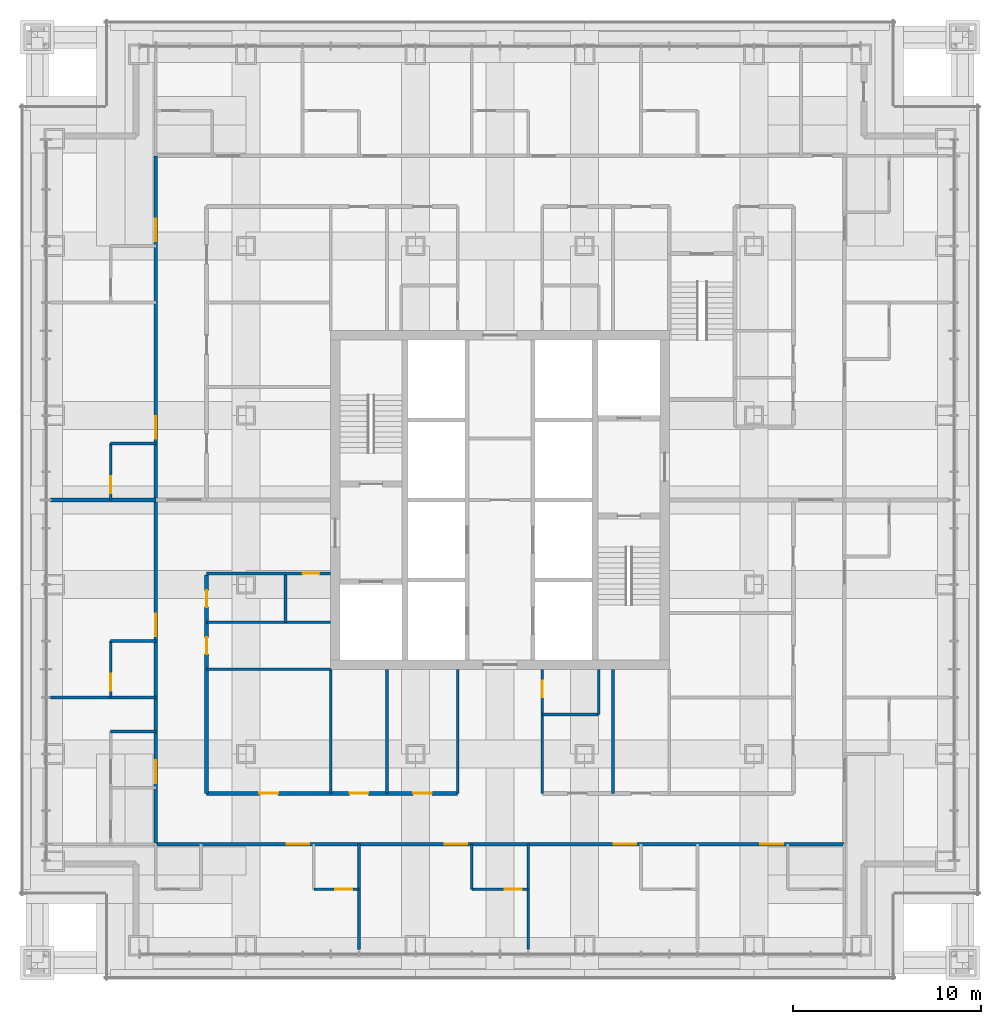
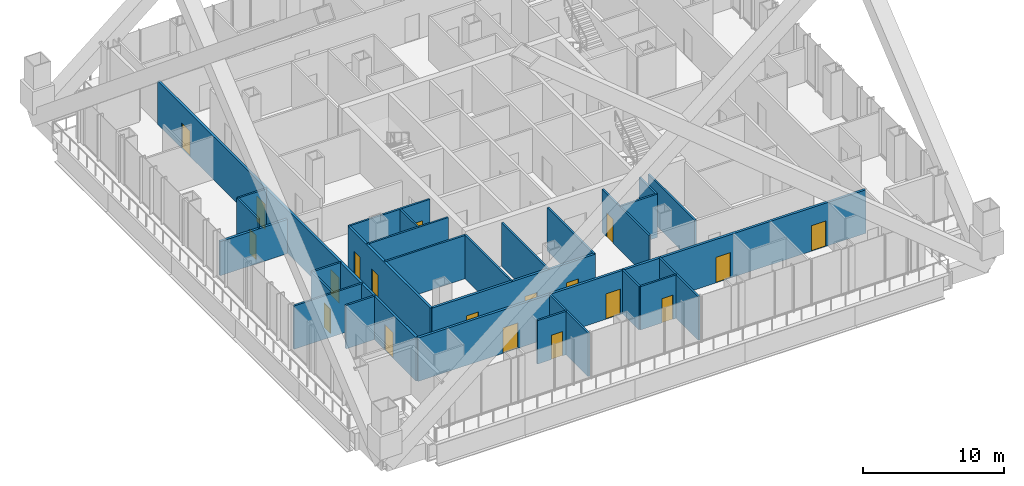
# One storey, part 15 of 20: 27 walls, 19 doors, 19 openings.
"""IFC4 building model written with IfcOpenShell, lengths in metres."""

from ifc_helpers import new_model, si_unit, direction, frame, frame_2d, origin, place, context, subcontext, project, spatial, rectangle, extrude, material, layer, layer_set, type_object, element, fill, save


model = new_model("IFC4")

# Units and contexts
model_context = context("Model", 3, precision=1e-05, world=origin(), true_north=direction((0.0, 1.0)))
body_context = subcontext(model_context, "Body", "Model", "MODEL_VIEW")
ifc_project = project(units=[si_unit("LENGTHUNIT", "METRE"), si_unit("AREAUNIT", "SQUARE_METRE"), si_unit("VOLUMEUNIT", "CUBIC_METRE"), si_unit("PLANEANGLEUNIT", "RADIAN"), si_unit("MASSUNIT", "GRAM", prefix="KILO")], contexts=[model_context])

# Site, building, storey
site_placement = place(None, origin())
site = spatial("IfcSite", under=ifc_project, at=site_placement, CompositionType="ELEMENT")
building_placement = place(site_placement, origin())
building = spatial("IfcBuilding", under=site, at=building_placement, Name="Malebo Sky Hospital", CompositionType="ELEMENT")
storey_placement = place(building_placement, frame((0.0, 0.0, 100.0)))
storey = spatial("IfcBuildingStorey", under=building, at=storey_placement, Name="L23", CompositionType="ELEMENT", Elevation=100.0)

# Wall, openings, doors
ifc_material_1 = material(Name="Gypsum board on steel studs", Category="steel")
ifc_layer_1 = layer(ifc_material_1, 0.199951171875)
ifc_layer_set_1 = layer_set([ifc_layer_1], Name="CORRIDOR WALL 200")
wall_type_1 = type_object("IfcWallType", Name="CORRIDOR WALL 200", PredefinedType="PARTITIONING", material=ifc_layer_set_1)
wall_1_placement = place(storey_placement, frame((41.699951171875, 43.699951171875, 0.0), z_axis=(0.0, 0.0, 1.0), x_axis=(0.0, 1.0, 0.0)))
wall_1 = element("IfcWall", 1, at=wall_1_placement, inside=storey, type_object=wall_type_1, Name="Corridor Wall 200 WCO", PredefinedType="PARTITIONING", context=body_context, shape_type="SweptSolid", body=[
    extrude(rectangle(XDim=36.60009765625, YDim=0.199951171875, at=frame_2d((18.300048828125, 0.0))), origin(), (0.0, 0.0, 1.0), 3.75),
])
opening_1_placement = place(wall_1_placement, frame((3.25, 0.0, 0.0)))
opening_1 = element("IfcOpeningElement", 2, at=opening_1_placement, cuts=wall_1, Name="Opening D18", PredefinedType="OPENING", context=body_context, shape_type="SweptSolid", body=[
    extrude(rectangle(XDim=1.199951171875, YDim=2.199951171875, at=frame_2d((0.60009765625, 1.10009765625))), frame((0.0, 0.10986328125, 0.0), z_axis=(0.0, -1.0, 0.0), x_axis=(1.0, 0.0, 0.0)), (0.0, 0.0, 1.0), 0.219970703125),
])
opening_2_placement = place(wall_1_placement, frame((11.050048828125, 0.0, 0.0)))
opening_2 = element("IfcOpeningElement", 3, at=opening_2_placement, cuts=wall_1, Name="Opening D01", PredefinedType="OPENING", context=body_context, shape_type="SweptSolid", body=[
    extrude(rectangle(XDim=1.199951171875, YDim=2.199951171875, at=frame_2d((0.60009765625, 1.10009765625))), frame((0.0, 0.10986328125, 0.0), z_axis=(0.0, -1.0, 0.0), x_axis=(1.0, 0.0, 0.0)), (0.0, 0.0, 1.0), 0.219970703125),
])
opening_3_placement = place(wall_1_placement, frame((21.550048828125, 0.0, 0.0)))
opening_3 = element("IfcOpeningElement", 4, at=opening_3_placement, cuts=wall_1, Name="Opening D01", PredefinedType="OPENING", context=body_context, shape_type="SweptSolid", body=[
    extrude(rectangle(XDim=1.199951171875, YDim=2.199951171875, at=frame_2d((0.60009765625, 1.10009765625))), frame((0.0, 0.10986328125, 0.0), z_axis=(0.0, -1.0, 0.0), x_axis=(1.0, 0.0, 0.0)), (0.0, 0.0, 1.0), 0.219970703125),
])
opening_4_placement = place(wall_1_placement, frame((32.050048828125, 0.0, 0.0)))
opening_4 = element("IfcOpeningElement", 5, at=opening_4_placement, cuts=wall_1, Name="Opening D01", PredefinedType="OPENING", context=body_context, shape_type="SweptSolid", body=[
    extrude(rectangle(XDim=1.199951171875, YDim=2.199951171875, at=frame_2d((0.60009765625, 1.10009765625))), frame((0.0, 0.10986328125, 0.0), z_axis=(0.0, -1.0, 0.0), x_axis=(1.0, 0.0, 0.0)), (0.0, 0.0, 1.0), 0.219970703125),
])
ifc_material_2 = material(Name="Hardwood-faced door leaf in steel frame", Category="steel")
door_type_1 = type_object("IfcDoorType", Name="ANTEROOM DOOR 1200", OperationType="SINGLE_SWING_LEFT", PredefinedType="DOOR", material=ifc_material_2)
door_1_placement = place(opening_1_placement, origin())
door_1 = element("IfcDoor", 6, at=door_1_placement, inside=storey, type_object=door_type_1, Name="Anteroom door", OperationType="SINGLE_SWING_LEFT", OverallHeight=2.199951171875, OverallWidth=1.199951171875, PredefinedType="DOOR", context=body_context, shape_type="SweptSolid", body=[
    extrude(rectangle(XDim=1.199951171875, YDim=2.199951171875, at=frame_2d((0.60009765625, 1.10009765625))), frame((0.0, 0.02490234375, 0.0), z_axis=(0.0, -1.0, 0.0), x_axis=(1.0, 0.0, 0.0)), (0.0, 0.0, 1.0), 0.050048828125),
])
fill(opening_1, door_1)
door_type_2 = type_object("IfcDoorType", Name="BED DOOR 1200", OperationType="SINGLE_SWING_LEFT", PredefinedType="DOOR", material=ifc_material_2)
door_2_placement = place(opening_2_placement, origin())
door_2 = element("IfcDoor", 7, at=door_2_placement, inside=storey, type_object=door_type_2, Name="Observation bay door", OperationType="SINGLE_SWING_LEFT", OverallHeight=2.199951171875, OverallWidth=1.199951171875, PredefinedType="DOOR", context=body_context, shape_type="SweptSolid", body=[
    extrude(rectangle(XDim=1.199951171875, YDim=2.199951171875, at=frame_2d((0.60009765625, 1.10009765625))), frame((0.0, 0.02490234375, 0.0), z_axis=(0.0, -1.0, 0.0), x_axis=(1.0, 0.0, 0.0)), (0.0, 0.0, 1.0), 0.050048828125),
])
fill(opening_2, door_2)
door_3_placement = place(opening_3_placement, origin())
door_3 = element("IfcDoor", 8, at=door_3_placement, inside=storey, type_object=door_type_2, Name="Coronary care room door", OperationType="SINGLE_SWING_LEFT", OverallHeight=2.199951171875, OverallWidth=1.199951171875, PredefinedType="DOOR", context=body_context, shape_type="SweptSolid", body=[
    extrude(rectangle(XDim=1.199951171875, YDim=2.199951171875, at=frame_2d((0.60009765625, 1.10009765625))), frame((0.0, 0.02490234375, 0.0), z_axis=(0.0, -1.0, 0.0), x_axis=(1.0, 0.0, 0.0)), (0.0, 0.0, 1.0), 0.050048828125),
])
fill(opening_3, door_3)
door_4_placement = place(opening_4_placement, origin())
door_4 = element("IfcDoor", 9, at=door_4_placement, inside=storey, type_object=door_type_2, Name="Two-bed room door", OperationType="SINGLE_SWING_LEFT", OverallHeight=2.199951171875, OverallWidth=1.199951171875, PredefinedType="DOOR", context=body_context, shape_type="SweptSolid", body=[
    extrude(rectangle(XDim=1.199951171875, YDim=2.199951171875, at=frame_2d((0.60009765625, 1.10009765625))), frame((0.0, 0.02490234375, 0.0), z_axis=(0.0, -1.0, 0.0), x_axis=(1.0, 0.0, 0.0)), (0.0, 0.0, 1.0), 0.050048828125),
])
fill(opening_4, door_4)

wall_2_placement = place(storey_placement, frame((44.39990234375, 46.39990234375, 0.0), z_axis=(0.0, 0.0, 1.0), x_axis=(0.0, 1.0, 0.0)))
wall_2 = element("IfcWall", 10, at=wall_2_placement, inside=storey, type_object=wall_type_1, Name="Corridor Wall 200 WCI1", PredefinedType="PARTITIONING", context=body_context, shape_type="SweptSolid", body=[
    extrude(rectangle(XDim=11.60009765625, YDim=0.199951171875, at=frame_2d((5.800048828125, 0.0))), origin(), (0.0, 0.0, 1.0), 3.75),
])
opening_5_placement = place(wall_2_placement, frame((7.39990234375, 0.0, 0.0)))
opening_5 = element("IfcOpeningElement", 11, at=opening_5_placement, cuts=wall_2, Name="Opening D04", PredefinedType="OPENING", context=body_context, shape_type="SweptSolid", body=[
    extrude(rectangle(XDim=0.89990234375, YDim=2.10009765625, at=frame_2d((0.449951171875, 1.050048828125))), frame((0.0, 0.10986328125, 0.0), z_axis=(0.0, -1.0, 0.0), x_axis=(1.0, 0.0, 0.0)), (0.0, 0.0, 1.0), 0.219970703125),
])
opening_6_placement = place(wall_2_placement, frame((9.89990234375, 0.0, 0.0)))
opening_6 = element("IfcOpeningElement", 12, at=opening_6_placement, cuts=wall_2, Name="Opening D04", PredefinedType="OPENING", context=body_context, shape_type="SweptSolid", body=[
    extrude(rectangle(XDim=0.89990234375, YDim=2.10009765625, at=frame_2d((0.449951171875, 1.050048828125))), frame((0.0, 0.10986328125, 0.0), z_axis=(0.0, -1.0, 0.0), x_axis=(1.0, 0.0, 0.0)), (0.0, 0.0, 1.0), 0.219970703125),
])
door_type_3 = type_object("IfcDoorType", Name="ROOM DOOR 900", OperationType="SINGLE_SWING_LEFT", PredefinedType="DOOR", material=ifc_material_2)
door_5_placement = place(opening_5_placement, origin())
door_5 = element("IfcDoor", 13, at=door_5_placement, inside=storey, type_object=door_type_3, Name="Ward office door", OperationType="SINGLE_SWING_LEFT", OverallHeight=2.10009765625, OverallWidth=0.89990234375, PredefinedType="DOOR", context=body_context, shape_type="SweptSolid", body=[
    extrude(rectangle(XDim=0.89990234375, YDim=2.10009765625, at=frame_2d((0.449951171875, 1.050048828125))), frame((0.0, 0.02490234375, 0.0), z_axis=(0.0, -1.0, 0.0), x_axis=(1.0, 0.0, 0.0)), (0.0, 0.0, 1.0), 0.050048828125),
])
fill(opening_5, door_5)
door_6_placement = place(opening_6_placement, origin())
door_6 = element("IfcDoor", 14, at=door_6_placement, inside=storey, type_object=door_type_3, Name="Linen store door", OperationType="SINGLE_SWING_LEFT", OverallHeight=2.10009765625, OverallWidth=0.89990234375, PredefinedType="DOOR", context=body_context, shape_type="SweptSolid", body=[
    extrude(rectangle(XDim=0.89990234375, YDim=2.10009765625, at=frame_2d((0.449951171875, 1.050048828125))), frame((0.0, 0.02490234375, 0.0), z_axis=(0.0, -1.0, 0.0), x_axis=(1.0, 0.0, 0.0)), (0.0, 0.0, 1.0), 0.050048828125),
])
fill(opening_6, door_6)

wall_3_placement = place(storey_placement, frame((78.300048828125, 43.699951171875, 0.0), z_axis=(0.0, 0.0, 1.0), x_axis=(-1.0, 0.0, 0.0)))
wall_3 = element("IfcWall", 15, at=wall_3_placement, inside=storey, type_object=wall_type_1, Name="Corridor Wall 200 SCO", PredefinedType="PARTITIONING", context=body_context, shape_type="SweptSolid", body=[
    extrude(rectangle(XDim=36.60009765625, YDim=0.199951171875, at=frame_2d((18.300048828125, 0.0))), origin(), (0.0, 0.0, 1.0), 3.75),
])
opening_7_placement = place(wall_3_placement, frame((3.25, 0.0, 0.0)))
opening_7 = element("IfcOpeningElement", 16, at=opening_7_placement, cuts=wall_3, Name="Opening D01", PredefinedType="OPENING", context=body_context, shape_type="SweptSolid", body=[
    extrude(rectangle(XDim=1.199951171875, YDim=2.199951171875, at=frame_2d((0.60009765625, 1.10009765625))), frame((0.0, 0.10986328125, 0.0), z_axis=(0.0, -1.0, 0.0), x_axis=(1.0, 0.0, 0.0)), (0.0, 0.0, 1.0), 0.219970703125),
])
opening_8_placement = place(wall_3_placement, frame((11.050048828125, 0.0, 0.0)))
opening_8 = element("IfcOpeningElement", 17, at=opening_8_placement, cuts=wall_3, Name="Opening D01", PredefinedType="OPENING", context=body_context, shape_type="SweptSolid", body=[
    extrude(rectangle(XDim=1.199951171875, YDim=2.199951171875, at=frame_2d((0.60009765625, 1.10009765625))), frame((0.0, 0.10986328125, 0.0), z_axis=(0.0, -1.0, 0.0), x_axis=(1.0, 0.0, 0.0)), (0.0, 0.0, 1.0), 0.219970703125),
])
opening_9_placement = place(wall_3_placement, frame((20.050048828125, 0.0, 0.0)))
opening_9 = element("IfcOpeningElement", 18, at=opening_9_placement, cuts=wall_3, Name="Opening D01", PredefinedType="OPENING", context=body_context, shape_type="SweptSolid", body=[
    extrude(rectangle(XDim=1.199951171875, YDim=2.199951171875, at=frame_2d((0.60009765625, 1.10009765625))), frame((0.0, 0.10986328125, 0.0), z_axis=(0.0, -1.0, 0.0), x_axis=(1.0, 0.0, 0.0)), (0.0, 0.0, 1.0), 0.219970703125),
])
opening_10_placement = place(wall_3_placement, frame((28.449951171875, 0.0, 0.0)))
opening_10 = element("IfcOpeningElement", 19, at=opening_10_placement, cuts=wall_3, Name="Opening D01", PredefinedType="OPENING", context=body_context, shape_type="SweptSolid", body=[
    extrude(rectangle(XDim=1.199951171875, YDim=2.199951171875, at=frame_2d((0.60009765625, 1.10009765625))), frame((0.0, 0.10986328125, 0.0), z_axis=(0.0, -1.0, 0.0), x_axis=(1.0, 0.0, 0.0)), (0.0, 0.0, 1.0), 0.219970703125),
])
door_7_placement = place(opening_7_placement, origin())
door_7 = element("IfcDoor", 20, at=door_7_placement, inside=storey, type_object=door_type_2, Name="Coronary care room door", OperationType="SINGLE_SWING_LEFT", OverallHeight=2.199951171875, OverallWidth=1.199951171875, PredefinedType="DOOR", context=body_context, shape_type="SweptSolid", body=[
    extrude(rectangle(XDim=1.199951171875, YDim=2.199951171875, at=frame_2d((0.60009765625, 1.10009765625))), frame((0.0, 0.02490234375, 0.0), z_axis=(0.0, -1.0, 0.0), x_axis=(1.0, 0.0, 0.0)), (0.0, 0.0, 1.0), 0.050048828125),
])
fill(opening_7, door_7)
door_8_placement = place(opening_8_placement, origin())
door_8 = element("IfcDoor", 21, at=door_8_placement, inside=storey, type_object=door_type_2, Name="Two-bed room door", OperationType="SINGLE_SWING_LEFT", OverallHeight=2.199951171875, OverallWidth=1.199951171875, PredefinedType="DOOR", context=body_context, shape_type="SweptSolid", body=[
    extrude(rectangle(XDim=1.199951171875, YDim=2.199951171875, at=frame_2d((0.60009765625, 1.10009765625))), frame((0.0, 0.02490234375, 0.0), z_axis=(0.0, -1.0, 0.0), x_axis=(1.0, 0.0, 0.0)), (0.0, 0.0, 1.0), 0.050048828125),
])
fill(opening_8, door_8)
door_9_placement = place(opening_9_placement, origin())
door_9 = element("IfcDoor", 22, at=door_9_placement, inside=storey, type_object=door_type_2, Name="Coronary care room door", OperationType="SINGLE_SWING_LEFT", OverallHeight=2.199951171875, OverallWidth=1.199951171875, PredefinedType="DOOR", context=body_context, shape_type="SweptSolid", body=[
    extrude(rectangle(XDim=1.199951171875, YDim=2.199951171875, at=frame_2d((0.60009765625, 1.10009765625))), frame((0.0, 0.02490234375, 0.0), z_axis=(0.0, -1.0, 0.0), x_axis=(1.0, 0.0, 0.0)), (0.0, 0.0, 1.0), 0.050048828125),
])
fill(opening_9, door_9)
door_10_placement = place(opening_10_placement, origin())
door_10 = element("IfcDoor", 23, at=door_10_placement, inside=storey, type_object=door_type_2, Name="Four-bed bay door", OperationType="SINGLE_SWING_LEFT", OverallHeight=2.199951171875, OverallWidth=1.199951171875, PredefinedType="DOOR", context=body_context, shape_type="SweptSolid", body=[
    extrude(rectangle(XDim=1.199951171875, YDim=2.199951171875, at=frame_2d((0.60009765625, 1.10009765625))), frame((0.0, 0.02490234375, 0.0), z_axis=(0.0, -1.0, 0.0), x_axis=(1.0, 0.0, 0.0)), (0.0, 0.0, 1.0), 0.050048828125),
])
fill(opening_10, door_10)

wall_4_placement = place(storey_placement, frame((57.75, 46.39990234375, 0.0), z_axis=(0.0, 0.0, 1.0), x_axis=(-1.0, 0.0, 0.0)))
wall_4 = element("IfcWall", 24, at=wall_4_placement, inside=storey, type_object=wall_type_1, Name="Corridor Wall 200 SCI2", PredefinedType="PARTITIONING", context=body_context, shape_type="SweptSolid", body=[
    extrude(rectangle(XDim=13.35009765625, YDim=0.199951171875, at=frame_2d((6.675048828125, 0.0))), origin(), (0.0, 0.0, 1.0), 3.75),
])
opening_11_placement = place(wall_4_placement, frame((1.375, 0.0, 0.0)))
opening_11 = element("IfcOpeningElement", 25, at=opening_11_placement, cuts=wall_4, Name="Opening D03", PredefinedType="OPENING", context=body_context, shape_type="SweptSolid", body=[
    extrude(rectangle(XDim=1.0, YDim=2.10009765625, at=frame_2d((0.5, 1.050048828125))), frame((0.0, 0.10986328125, 0.0), z_axis=(0.0, -1.0, 0.0), x_axis=(1.0, 0.0, 0.0)), (0.0, 0.0, 1.0), 0.219970703125),
])
opening_12_placement = place(wall_4_placement, frame((4.75, 0.0, 0.0)))
opening_12 = element("IfcOpeningElement", 26, at=opening_12_placement, cuts=wall_4, Name="Opening D03", PredefinedType="OPENING", context=body_context, shape_type="SweptSolid", body=[
    extrude(rectangle(XDim=1.0, YDim=2.10009765625, at=frame_2d((0.5, 1.050048828125))), frame((0.0, 0.10986328125, 0.0), z_axis=(0.0, -1.0, 0.0), x_axis=(1.0, 0.0, 0.0)), (0.0, 0.0, 1.0), 0.219970703125),
])
opening_13_placement = place(wall_4_placement, frame((9.550048828125, 0.0, 0.0)))
opening_13 = element("IfcOpeningElement", 27, at=opening_13_placement, cuts=wall_4, Name="Opening D03", PredefinedType="OPENING", context=body_context, shape_type="SweptSolid", body=[
    extrude(rectangle(XDim=1.0, YDim=2.10009765625, at=frame_2d((0.5, 1.050048828125))), frame((0.0, 0.10986328125, 0.0), z_axis=(0.0, -1.0, 0.0), x_axis=(1.0, 0.0, 0.0)), (0.0, 0.0, 1.0), 0.219970703125),
])
door_type_4 = type_object("IfcDoorType", Name="ROOM DOOR 1000", OperationType="SINGLE_SWING_LEFT", PredefinedType="DOOR", material=ifc_material_2)
door_11_placement = place(opening_11_placement, origin())
door_11 = element("IfcDoor", 28, at=door_11_placement, inside=storey, type_object=door_type_4, Name="Ward pantry door", OperationType="SINGLE_SWING_LEFT", OverallHeight=2.10009765625, OverallWidth=1.0, PredefinedType="DOOR", context=body_context, shape_type="SweptSolid", body=[
    extrude(rectangle(XDim=1.0, YDim=2.10009765625, at=frame_2d((0.5, 1.050048828125))), frame((0.0, 0.02490234375, 0.0), z_axis=(0.0, -1.0, 0.0), x_axis=(1.0, 0.0, 0.0)), (0.0, 0.0, 1.0), 0.050048828125),
])
fill(opening_11, door_11)
door_12_placement = place(opening_12_placement, origin())
door_12 = element("IfcDoor", 29, at=door_12_placement, inside=storey, type_object=door_type_4, Name="Equipment cleaning room door", OperationType="SINGLE_SWING_LEFT", OverallHeight=2.10009765625, OverallWidth=1.0, PredefinedType="DOOR", context=body_context, shape_type="SweptSolid", body=[
    extrude(rectangle(XDim=1.0, YDim=2.10009765625, at=frame_2d((0.5, 1.050048828125))), frame((0.0, 0.02490234375, 0.0), z_axis=(0.0, -1.0, 0.0), x_axis=(1.0, 0.0, 0.0)), (0.0, 0.0, 1.0), 0.050048828125),
])
fill(opening_12, door_12)
door_13_placement = place(opening_13_placement, origin())
door_13 = element("IfcDoor", 30, at=door_13_placement, inside=storey, type_object=door_type_4, Name="Staff rest room door", OperationType="SINGLE_SWING_RIGHT", OverallHeight=2.10009765625, OverallWidth=1.0, PredefinedType="DOOR", context=body_context, shape_type="SweptSolid", body=[
    extrude(rectangle(XDim=1.0, YDim=2.10009765625, at=frame_2d((0.5, 1.050048828125))), frame((0.0, 0.02490234375, 0.0), z_axis=(0.0, -1.0, 0.0), x_axis=(1.0, 0.0, 0.0)), (0.0, 0.0, 1.0), 0.050048828125),
])
fill(opening_13, door_13)

# Wall
ifc_layer_2 = layer(ifc_material_1, 0.14990234375)
ifc_layer_set_2 = layer_set([ifc_layer_2], Name="PARTITION 150")
wall_type_2 = type_object("IfcWallType", Name="PARTITION 150", PredefinedType="PARTITIONING", material=ifc_layer_set_2)
wall_5_placement = place(storey_placement, frame((41.699951171875, 51.5, 0.0), z_axis=(0.0, 0.0, 1.0), x_axis=(-1.0, 0.0, 0.0)))
element("IfcWall", 31, at=wall_5_placement, inside=storey, type_object=wall_type_2, Name="Partition 150 WP-10.5", PredefinedType="PARTITIONING", context=body_context, shape_type="SweptSolid", body=[
    extrude(rectangle(XDim=5.60986328125, YDim=0.14990234375, at=frame_2d((2.804931640625, 0.0))), origin(), (0.0, 0.0, 1.0), 3.75),
])

# Wall, opening, door
wall_6_placement = place(storey_placement, frame((39.300048828125, 51.5, 0.0), z_axis=(0.0, 0.0, 1.0), x_axis=(0.0, 1.0, 0.0)))
wall_6 = element("IfcWall", 32, at=wall_6_placement, inside=storey, type_object=wall_type_2, Name="Partition 150 WE1F", PredefinedType="PARTITIONING", context=body_context, shape_type="SweptSolid", body=[
    extrude(rectangle(XDim=3.0, YDim=0.14990234375, at=frame_2d((1.5, 0.0))), origin(), (0.0, 0.0, 1.0), 3.75),
])
opening_14_placement = place(wall_6_placement, frame((0.35009765625, 0.0, 0.0)))
opening_14 = element("IfcOpeningElement", 33, at=opening_14_placement, cuts=wall_6, Name="Opening D02", PredefinedType="OPENING", context=body_context, shape_type="SweptSolid", body=[
    extrude(rectangle(XDim=0.89990234375, YDim=2.10009765625, at=frame_2d((0.449951171875, 1.050048828125))), frame((0.0, 0.0849609375, 0.0), z_axis=(0.0, -1.0, 0.0), x_axis=(1.0, 0.0, 0.0)), (0.0, 0.0, 1.0), 0.169921875),
])
door_type_5 = type_object("IfcDoorType", Name="EN-SUITE DOOR 900", OperationType="SINGLE_SWING_LEFT", PredefinedType="DOOR", material=ifc_material_2)
door_14_placement = place(opening_14_placement, origin())
door_14 = element("IfcDoor", 34, at=door_14_placement, inside=storey, type_object=door_type_5, Name="En-suite door", OperationType="SINGLE_SWING_LEFT", OverallHeight=2.10009765625, OverallWidth=0.89990234375, PredefinedType="DOOR", context=body_context, shape_type="SweptSolid", body=[
    extrude(rectangle(XDim=0.89990234375, YDim=2.10009765625, at=frame_2d((0.449951171875, 1.050048828125))), frame((0.0, 0.02490234375, 0.0), z_axis=(0.0, -1.0, 0.0), x_axis=(1.0, 0.0, 0.0)), (0.0, 0.0, 1.0), 0.050048828125),
])
fill(opening_14, door_14)

# Wall
wall_7_placement = place(storey_placement, frame((41.699951171875, 54.5, 0.0), z_axis=(0.0, 0.0, 1.0), x_axis=(-1.0, 0.0, 0.0)))
element("IfcWall", 35, at=wall_7_placement, inside=storey, type_object=wall_type_2, Name="Partition 150 WE1S", PredefinedType="PARTITIONING", context=body_context, shape_type="SweptSolid", body=[
    extrude(rectangle(XDim=2.39990234375, YDim=0.14990234375, at=frame_2d((1.199951171875, 0.0))), origin(), (0.0, 0.0, 1.0), 3.75),
])

# Wall, opening, door
wall_8_placement = place(storey_placement, frame((39.300048828125, 62.0, 0.0), z_axis=(0.0, 0.0, 1.0), x_axis=(0.0, 1.0, 0.0)))
wall_8 = element("IfcWall", 36, at=wall_8_placement, inside=storey, type_object=wall_type_2, Name="Partition 150 WE2F", PredefinedType="PARTITIONING", context=body_context, shape_type="SweptSolid", body=[
    extrude(rectangle(XDim=3.0, YDim=0.14990234375, at=frame_2d((1.5, 0.0))), origin(), (0.0, 0.0, 1.0), 3.75),
])
opening_15_placement = place(wall_8_placement, frame((0.35009765625, 0.0, 0.0)))
opening_15 = element("IfcOpeningElement", 37, at=opening_15_placement, cuts=wall_8, Name="Opening D02", PredefinedType="OPENING", context=body_context, shape_type="SweptSolid", body=[
    extrude(rectangle(XDim=0.89990234375, YDim=2.10009765625, at=frame_2d((0.449951171875, 1.050048828125))), frame((0.0, 0.0849609375, 0.0), z_axis=(0.0, -1.0, 0.0), x_axis=(1.0, 0.0, 0.0)), (0.0, 0.0, 1.0), 0.169921875),
])
door_15_placement = place(opening_15_placement, origin())
door_15 = element("IfcDoor", 38, at=door_15_placement, inside=storey, type_object=door_type_5, Name="En-suite door", OperationType="SINGLE_SWING_LEFT", OverallHeight=2.10009765625, OverallWidth=0.89990234375, PredefinedType="DOOR", context=body_context, shape_type="SweptSolid", body=[
    extrude(rectangle(XDim=0.89990234375, YDim=2.10009765625, at=frame_2d((0.449951171875, 1.050048828125))), frame((0.0, 0.02490234375, 0.0), z_axis=(0.0, -1.0, 0.0), x_axis=(1.0, 0.0, 0.0)), (0.0, 0.0, 1.0), 0.050048828125),
])
fill(opening_15, door_15)

# Walls
wall_9_placement = place(storey_placement, frame((41.699951171875, 65.0, 0.0), z_axis=(0.0, 0.0, 1.0), x_axis=(-1.0, 0.0, 0.0)))
element("IfcWall", 39, at=wall_9_placement, inside=storey, type_object=wall_type_2, Name="Partition 150 WE2S", PredefinedType="PARTITIONING", context=body_context, shape_type="SweptSolid", body=[
    extrude(rectangle(XDim=2.39990234375, YDim=0.14990234375, at=frame_2d((1.199951171875, 0.0))), origin(), (0.0, 0.0, 1.0), 3.75),
])
wall_10_placement = place(storey_placement, frame((51.0, 53.0, 0.0), z_axis=(0.0, 0.0, 1.0), x_axis=(-1.0, 0.0, 0.0)))
element("IfcWall", 40, at=wall_10_placement, inside=storey, type_object=wall_type_2, Name="Partition 150 WSP0", PredefinedType="PARTITIONING", context=body_context, shape_type="SweptSolid", body=[
    extrude(rectangle(XDim=6.60009765625, YDim=0.14990234375, at=frame_2d((3.300048828125, 0.0))), origin(), (0.0, 0.0, 1.0), 3.75),
])

# Wall, opening, door
wall_11_placement = place(storey_placement, frame((51.0, 58.10009765625, 0.0), z_axis=(0.0, 0.0, 1.0), x_axis=(-1.0, 0.0, 0.0)))
wall_11 = element("IfcWall", 41, at=wall_11_placement, inside=storey, type_object=wall_type_2, Name="Partition 150 WSPA", PredefinedType="PARTITIONING", context=body_context, shape_type="SweptSolid", body=[
    extrude(rectangle(XDim=6.60009765625, YDim=0.14990234375, at=frame_2d((3.300048828125, 0.0))), origin(), (0.0, 0.0, 1.0), 3.75),
])
opening_16_placement = place(wall_11_placement, frame((0.60009765625, 0.0, 0.0)))
opening_16 = element("IfcOpeningElement", 42, at=opening_16_placement, cuts=wall_11, Name="Opening D04", PredefinedType="OPENING", context=body_context, shape_type="SweptSolid", body=[
    extrude(rectangle(XDim=0.89990234375, YDim=2.10009765625, at=frame_2d((0.449951171875, 1.050048828125))), frame((0.0, 0.0849609375, 0.0), z_axis=(0.0, -1.0, 0.0), x_axis=(1.0, 0.0, 0.0)), (0.0, 0.0, 1.0), 0.169921875),
])
door_16_placement = place(opening_16_placement, origin())
door_16 = element("IfcDoor", 43, at=door_16_placement, inside=storey, type_object=door_type_3, Name="Cleaner's room door", OperationType="SINGLE_SWING_LEFT", OverallHeight=2.10009765625, OverallWidth=0.89990234375, PredefinedType="DOOR", context=body_context, shape_type="SweptSolid", body=[
    extrude(rectangle(XDim=0.89990234375, YDim=2.10009765625, at=frame_2d((0.449951171875, 1.050048828125))), frame((0.0, 0.02490234375, 0.0), z_axis=(0.0, -1.0, 0.0), x_axis=(1.0, 0.0, 0.0)), (0.0, 0.0, 1.0), 0.050048828125),
])
fill(opening_16, door_16)

# Walls
wall_12_placement = place(storey_placement, frame((51.0, 55.5, 0.0), z_axis=(0.0, 0.0, 1.0), x_axis=(-1.0, 0.0, 0.0)))
element("IfcWall", 44, at=wall_12_placement, inside=storey, type_object=wall_type_2, Name="Partition 150 WSP-6.5", PredefinedType="PARTITIONING", context=body_context, shape_type="SweptSolid", body=[
    extrude(rectangle(XDim=6.60009765625, YDim=0.14990234375, at=frame_2d((3.300048828125, 0.0))), origin(), (0.0, 0.0, 1.0), 3.75),
])
wall_13_placement = place(storey_placement, frame((48.60009765625, 55.5, 0.0), z_axis=(0.0, 0.0, 1.0), x_axis=(0.0, 1.0, 0.0)))
element("IfcWall", 45, at=wall_13_placement, inside=storey, type_object=wall_type_2, Name="Partition 150 WSX1", PredefinedType="PARTITIONING", context=body_context, shape_type="SweptSolid", body=[
    extrude(rectangle(XDim=2.5, YDim=0.14990234375, at=frame_2d((1.25, 0.0))), origin(), (0.0, 0.0, 1.0), 3.75),
])
for number, where, z_axis, x_axis, name in (
    (46, (61.5, 43.699951171875, 0.0), (0.0, 0.0, 1.0), (0.0, -1.0, 0.0), "Partition 150 SP-1.5"),
    (47, (52.5, 43.699951171875, 0.0), (0.0, 0.0, 1.0), (0.0, -1.0, 0.0), "Partition 150 SP+7.5"),
):
    element("IfcWall", number, at=place(storey_placement, frame(where, z_axis=z_axis, x_axis=x_axis)), inside=storey, type_object=wall_type_2, Name=name, PredefinedType="PARTITIONING", context=body_context, shape_type="SweptSolid", body=[
        extrude(rectangle(XDim=5.60986328125, YDim=0.14990234375, at=frame_2d((2.804931640625, 0.0))), origin(), (0.0, 0.0, 1.0), 3.75),
    ])

# Wall, opening, door
wall_14_placement = place(storey_placement, frame((61.5, 41.300048828125, 0.0), z_axis=(0.0, 0.0, 1.0), x_axis=(-1.0, 0.0, 0.0)))
wall_14 = element("IfcWall", 48, at=wall_14_placement, inside=storey, type_object=wall_type_2, Name="Partition 150 SE2F", PredefinedType="PARTITIONING", context=body_context, shape_type="SweptSolid", body=[
    extrude(rectangle(XDim=3.0, YDim=0.14990234375, at=frame_2d((1.5, 0.0))), origin(), (0.0, 0.0, 1.0), 3.75),
])
opening_17_placement = place(wall_14_placement, frame((0.35009765625, 0.0, 0.0)))
opening_17 = element("IfcOpeningElement", 49, at=opening_17_placement, cuts=wall_14, Name="Opening D02", PredefinedType="OPENING", context=body_context, shape_type="SweptSolid", body=[
    extrude(rectangle(XDim=0.89990234375, YDim=2.10009765625, at=frame_2d((0.449951171875, 1.050048828125))), frame((0.0, 0.0849609375, 0.0), z_axis=(0.0, -1.0, 0.0), x_axis=(1.0, 0.0, 0.0)), (0.0, 0.0, 1.0), 0.169921875),
])
door_17_placement = place(opening_17_placement, origin())
door_17 = element("IfcDoor", 50, at=door_17_placement, inside=storey, type_object=door_type_5, Name="En-suite door", OperationType="SINGLE_SWING_LEFT", OverallHeight=2.10009765625, OverallWidth=0.89990234375, PredefinedType="DOOR", context=body_context, shape_type="SweptSolid", body=[
    extrude(rectangle(XDim=0.89990234375, YDim=2.10009765625, at=frame_2d((0.449951171875, 1.050048828125))), frame((0.0, 0.02490234375, 0.0), z_axis=(0.0, -1.0, 0.0), x_axis=(1.0, 0.0, 0.0)), (0.0, 0.0, 1.0), 0.050048828125),
])
fill(opening_17, door_17)

# Wall
wall_15_placement = place(storey_placement, frame((58.5, 43.699951171875, 0.0), z_axis=(0.0, 0.0, 1.0), x_axis=(0.0, -1.0, 0.0)))
element("IfcWall", 51, at=wall_15_placement, inside=storey, type_object=wall_type_2, Name="Partition 150 SE2S", PredefinedType="PARTITIONING", context=body_context, shape_type="SweptSolid", body=[
    extrude(rectangle(XDim=2.39990234375, YDim=0.14990234375, at=frame_2d((1.199951171875, 0.0))), origin(), (0.0, 0.0, 1.0), 3.75),
])

# Wall, opening, door
wall_16_placement = place(storey_placement, frame((52.5, 41.300048828125, 0.0), z_axis=(0.0, 0.0, 1.0), x_axis=(-1.0, 0.0, 0.0)))
wall_16 = element("IfcWall", 52, at=wall_16_placement, inside=storey, type_object=wall_type_2, Name="Partition 150 SE3F", PredefinedType="PARTITIONING", context=body_context, shape_type="SweptSolid", body=[
    extrude(rectangle(XDim=2.39990234375, YDim=0.14990234375, at=frame_2d((1.199951171875, 0.0))), origin(), (0.0, 0.0, 1.0), 3.75),
])
opening_18_placement = place(wall_16_placement, frame((0.35009765625, 0.0, 0.0)))
opening_18 = element("IfcOpeningElement", 53, at=opening_18_placement, cuts=wall_16, Name="Opening D02", PredefinedType="OPENING", context=body_context, shape_type="SweptSolid", body=[
    extrude(rectangle(XDim=0.89990234375, YDim=2.10009765625, at=frame_2d((0.449951171875, 1.050048828125))), frame((0.0, 0.0849609375, 0.0), z_axis=(0.0, -1.0, 0.0), x_axis=(1.0, 0.0, 0.0)), (0.0, 0.0, 1.0), 0.169921875),
])
door_18_placement = place(opening_18_placement, origin())
door_18 = element("IfcDoor", 54, at=door_18_placement, inside=storey, type_object=door_type_5, Name="En-suite door", OperationType="SINGLE_SWING_LEFT", OverallHeight=2.10009765625, OverallWidth=0.89990234375, PredefinedType="DOOR", context=body_context, shape_type="SweptSolid", body=[
    extrude(rectangle(XDim=0.89990234375, YDim=2.10009765625, at=frame_2d((0.449951171875, 1.050048828125))), frame((0.0, 0.02490234375, 0.0), z_axis=(0.0, -1.0, 0.0), x_axis=(1.0, 0.0, 0.0)), (0.0, 0.0, 1.0), 0.050048828125),
])
fill(opening_18, door_18)

wall_17_placement = place(storey_placement, frame((62.25, 53.0, 0.0), z_axis=(0.0, 0.0, 1.0), x_axis=(0.0, -1.0, 0.0)))
wall_17 = element("IfcWall", 55, at=wall_17_placement, inside=storey, type_object=wall_type_2, Name="Partition 150 SSPA", PredefinedType="PARTITIONING", context=body_context, shape_type="SweptSolid", body=[
    extrude(rectangle(XDim=6.60009765625, YDim=0.14990234375, at=frame_2d((3.300048828125, 0.0))), origin(), (0.0, 0.0, 1.0), 3.75),
])
opening_19_placement = place(wall_17_placement, frame((0.60009765625, 0.0, 0.0)))
opening_19 = element("IfcOpeningElement", 56, at=opening_19_placement, cuts=wall_17, Name="Opening D04", PredefinedType="OPENING", context=body_context, shape_type="SweptSolid", body=[
    extrude(rectangle(XDim=0.89990234375, YDim=2.10009765625, at=frame_2d((0.449951171875, 1.050048828125))), frame((0.0, 0.0849609375, 0.0), z_axis=(0.0, -1.0, 0.0), x_axis=(1.0, 0.0, 0.0)), (0.0, 0.0, 1.0), 0.169921875),
])
door_19_placement = place(opening_19_placement, origin())
door_19 = element("IfcDoor", 57, at=door_19_placement, inside=storey, type_object=door_type_3, Name="Visitor WC door", OperationType="SINGLE_SWING_LEFT", OverallHeight=2.10009765625, OverallWidth=0.89990234375, PredefinedType="DOOR", context=body_context, shape_type="SweptSolid", body=[
    extrude(rectangle(XDim=0.89990234375, YDim=2.10009765625, at=frame_2d((0.449951171875, 1.050048828125))), frame((0.0, 0.02490234375, 0.0), z_axis=(0.0, -1.0, 0.0), x_axis=(1.0, 0.0, 0.0)), (0.0, 0.0, 1.0), 0.050048828125),
])
fill(opening_19, door_19)

# Walls
for number, where, z_axis, x_axis, name in (
    (58, (57.75, 53.0, 0.0), (0.0, 0.0, 1.0), (0.0, -1.0, 0.0), "Partition 150 SSPB"),
    (59, (66.0, 53.0, 0.0), (0.0, 0.0, 1.0), (0.0, -1.0, 0.0), "Partition 150 SSP-6.0"),
    (60, (54.0, 53.0, 0.0), (0.0, 0.0, 1.0), (0.0, -1.0, 0.0), "Partition 150 SSP+6.0"),
    (61, (51.0, 53.0, 0.0), (0.0, 0.0, 1.0), (0.0, -1.0, 0.0), "Partition 150 SSP+9.0"),
):
    element("IfcWall", number, at=place(storey_placement, frame(where, z_axis=z_axis, x_axis=x_axis)), inside=storey, type_object=wall_type_2, Name=name, PredefinedType="PARTITIONING", context=body_context, shape_type="SweptSolid", body=[
        extrude(rectangle(XDim=6.60009765625, YDim=0.14990234375, at=frame_2d((3.300048828125, 0.0))), origin(), (0.0, 0.0, 1.0), 3.75),
    ])
wall_18_placement = place(storey_placement, frame((65.25, 50.60009765625, 0.0), z_axis=(0.0, 0.0, 1.0), x_axis=(-1.0, 0.0, 0.0)))
element("IfcWall", 62, at=wall_18_placement, inside=storey, type_object=wall_type_2, Name="Partition 150 SSX1", PredefinedType="PARTITIONING", context=body_context, shape_type="SweptSolid", body=[
    extrude(rectangle(XDim=3.0, YDim=0.14990234375, at=frame_2d((1.5, 0.0))), origin(), (0.0, 0.0, 1.0), 3.75),
])
wall_19_placement = place(storey_placement, frame((65.25, 53.0, 0.0), z_axis=(0.0, 0.0, 1.0), x_axis=(0.0, -1.0, 0.0)))
element("IfcWall", 63, at=wall_19_placement, inside=storey, type_object=wall_type_2, Name="Partition 150 SSY1", PredefinedType="PARTITIONING", context=body_context, shape_type="SweptSolid", body=[
    extrude(rectangle(XDim=2.39990234375, YDim=0.14990234375, at=frame_2d((1.199951171875, 0.0))), origin(), (0.0, 0.0, 1.0), 3.75),
])
ifc_material_3 = material(Name="Sealed gypsum board on steel studs, taped to the slab", Category="steel")
ifc_layer_3 = layer(ifc_material_3, 0.14990234375)
ifc_layer_set_3 = layer_set([ifc_layer_3], Name="SEALED ISOLATION PARTITION 150")
wall_type_3 = type_object("IfcWallType", Name="SEALED ISOLATION PARTITION 150", PredefinedType="PARTITIONING", material=ifc_layer_set_3)
wall_20_placement = place(storey_placement, frame((41.699951171875, 49.699951171875, 0.0), z_axis=(0.0, 0.0, 1.0), x_axis=(-1.0, 0.0, 0.0)))
element("IfcWall", 64, at=wall_20_placement, inside=storey, type_object=wall_type_3, Name="Sealed Isolation Partition 150 WA0S", PredefinedType="PARTITIONING", context=body_context, shape_type="SweptSolid", body=[
    extrude(rectangle(XDim=2.39990234375, YDim=0.14990234375, at=frame_2d((1.199951171875, 0.0))), origin(), (0.0, 0.0, 1.0), 3.75),
])
ifc_material_4 = material(Name="Concrete blockwork", Category="masonry")
ifc_layer_4 = layer(ifc_material_4, 0.199951171875)
ifc_layer_set_4 = layer_set([ifc_layer_4], Name="SMOKE BARRIER WALL 200")
wall_type_4 = type_object("IfcWallType", Name="SMOKE BARRIER WALL 200", PredefinedType="SOLIDWALL", material=ifc_layer_set_4)
wall_21_placement = place(storey_placement, frame((41.699951171875, 62.0, 0.0), z_axis=(0.0, 0.0, 1.0), x_axis=(-1.0, 0.0, 0.0)))
element("IfcWall", 65, at=wall_21_placement, inside=storey, type_object=wall_type_4, Name="Smoke Barrier Wall 200 WP+0.0", PredefinedType="SOLIDWALL", context=body_context, shape_type="SweptSolid", body=[
    extrude(rectangle(XDim=5.60986328125, YDim=0.199951171875, at=frame_2d((2.804931640625, 0.0))), origin(), (0.0, 0.0, 1.0), 2.949951171875),
])

save(model, "model.ifc")
